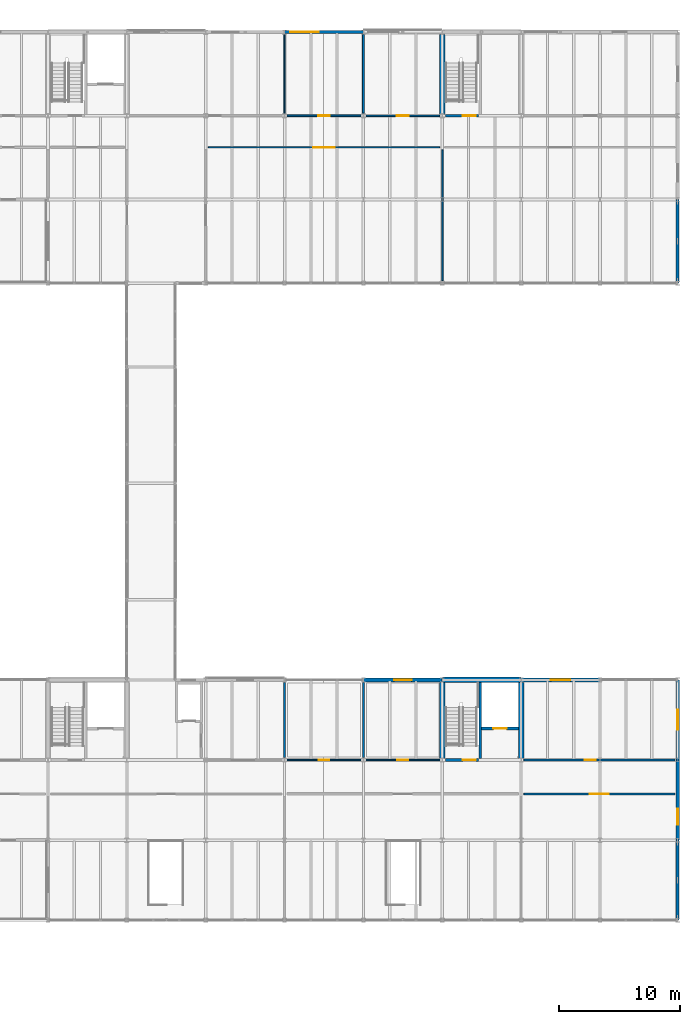
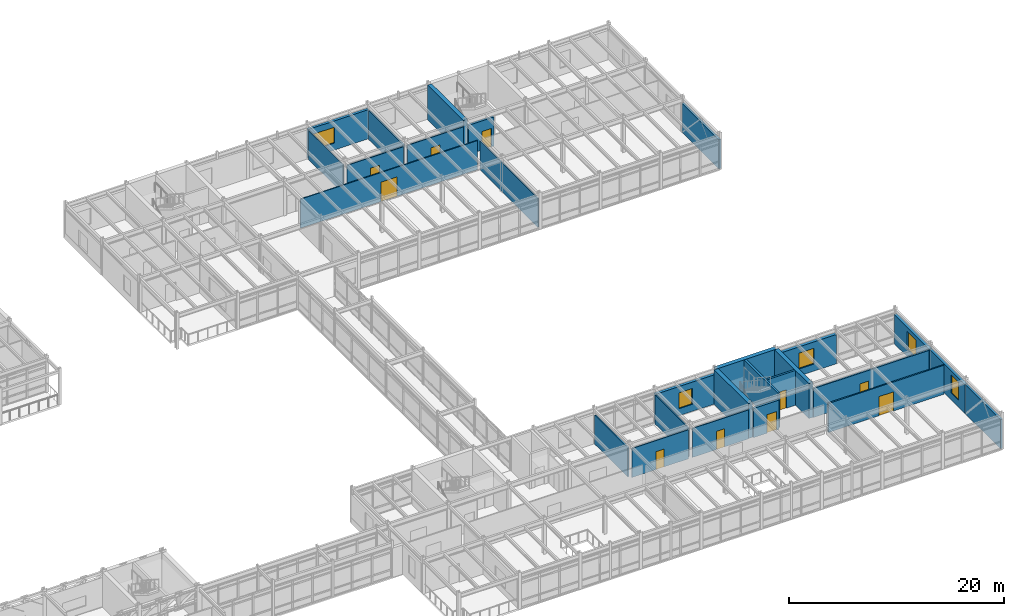
# One storey, part 136 of 144: 27 walls, 10 doors, 5 windows, 15 openings.
"""IFC4 building model written with IfcOpenShell, lengths in metres."""

from ifc_helpers import new_model, si_unit, direction, frame, frame_2d, origin, place, context, subcontext, project, spatial, rectangle, extrude, material, layer, layer_set, type_object, element, fill, save


model = new_model("IFC4")

# Units and contexts
model_context = context("Model", 3, precision=1e-05, world=origin(), true_north=direction((0.0, 1.0)))
body_context = subcontext(model_context, "Body", "Model", "MODEL_VIEW")
ifc_project = project(units=[si_unit("LENGTHUNIT", "METRE"), si_unit("AREAUNIT", "SQUARE_METRE"), si_unit("VOLUMEUNIT", "CUBIC_METRE"), si_unit("PLANEANGLEUNIT", "RADIAN"), si_unit("MASSUNIT", "GRAM", prefix="KILO")], contexts=[model_context])

# Site, building, storey
site_placement = place(None, origin())
site = spatial("IfcSite", under=ifc_project, at=site_placement, CompositionType="ELEMENT")
building_placement = place(site_placement, origin())
building = spatial("IfcBuilding", under=site, at=building_placement, Name="Trelmorton Wharf Fire Station", CompositionType="ELEMENT")
storey_placement = place(building_placement, frame((0.0, 0.0, 5.39990234375)))
storey = spatial("IfcBuildingStorey", under=building, at=storey_placement, Name="L01", CompositionType="ELEMENT", Elevation=5.39990234375)

# Walls
ifc_material_1 = material(Name="Precast concrete 45 MPa", Category="concrete")
ifc_layer_1 = layer(ifc_material_1, 0.22998046875)
ifc_layer_set_1 = layer_set([ifc_layer_1], Name="Precast concrete 45 MPa")
wall_type_1 = type_object("IfcWallType", Name="EW_PREC_230", PredefinedType="SOLIDWALL", material=ifc_layer_set_1)
wall_1_placement = place(storey_placement, frame((162.39990234375, 14.39501953125, 0.0), z_axis=(0.0, 0.0, 1.0), x_axis=(0.0, -1.0, 0.0)))
element("IfcWall", 1, at=wall_1_placement, inside=storey, type_object=wall_type_1, Name="EW-V5-L01-0084", PredefinedType="SOLIDWALL", context=body_context, shape_type="SweptSolid", body=[
    extrude(rectangle(XDim=6.590087890625, YDim=0.22998046875, at=frame_2d((3.294921875, 0.0))), origin(), (0.0, 0.0, 1.0), 3.320068359375),
])
wall_2_placement = place(storey_placement, frame((162.39990234375, 67.195068359375, 0.0), z_axis=(0.0, 0.0, 1.0), x_axis=(0.0, -1.0, 0.0)))
element("IfcWall", 2, at=wall_2_placement, inside=storey, type_object=wall_type_1, Name="EW-V4-L01-0222", PredefinedType="SOLIDWALL", context=body_context, shape_type="SweptSolid", body=[
    extrude(rectangle(XDim=6.89013671875, YDim=0.22998046875, at=frame_2d((3.445068359375, 0.0))), origin(), (0.0, 0.0, 1.0), 3.320068359375),
])

# Wall, opening, window
ifc_layer_2 = layer(ifc_material_1, 0.27001953125)
ifc_layer_set_2 = layer_set([ifc_layer_2], Name="Precast concrete 45 MPa")
wall_type_2 = type_object("IfcWallType", Name="EW_PREC_270", PredefinedType="SOLIDWALL", material=ifc_layer_set_2)
wall_3_placement = place(storey_placement, frame((162.39990234375, 20.9951171875, 0.0), z_axis=(0.0, 0.0, 1.0), x_axis=(0.0, -1.0, 0.0)))
wall_3 = element("IfcWall", 3, at=wall_3_placement, inside=storey, type_object=wall_type_2, Name="EW-V5-L01-0086", PredefinedType="SOLIDWALL", context=body_context, shape_type="SweptSolid", body=[
    extrude(rectangle(XDim=6.590087890625, YDim=0.27001953125, at=frame_2d((3.294921875, 0.0))), origin(), (0.0, 0.0, 1.0), 3.320068359375),
])
opening_1_placement = place(wall_3_placement, frame((4.00244140625, 0.0, 0.800048828125)))
opening_1 = element("IfcOpeningElement", 4, at=opening_1_placement, cuts=wall_3, Name="Opening W22", PredefinedType="OPENING", context=body_context, shape_type="SweptSolid", body=[
    extrude(rectangle(XDim=1.35009765625, YDim=2.050048828125, at=frame_2d((0.675048828125, 1.02490234375))), frame((0.0, 0.14501953125, 0.0), z_axis=(0.0, -1.0, 0.0), x_axis=(1.0, 0.0, 0.0)), (0.0, 0.0, 1.0), 0.2900390625),
])
ifc_material_2 = material(Name="Tempered low-E double glazing", Category="glass")
window_type_1 = type_object("IfcWindowType", Name="WIN_W22", PartitioningType="SINGLE_PANEL", PredefinedType="WINDOW", material=ifc_material_2)
window_1_placement = place(opening_1_placement, origin())
window_1 = element("IfcWindow", 5, at=window_1_placement, inside=storey, type_object=window_type_1, Name="WN-V5-L01-0037", OverallHeight=2.050048828125, OverallWidth=1.35009765625, PartitioningType="SINGLE_PANEL", PredefinedType="WINDOW", context=body_context, shape_type="SweptSolid", body=[
    extrude(rectangle(XDim=1.35009765625, YDim=2.050048828125, at=frame_2d((0.675048828125, 1.02490234375))), frame((0.0, 0.030029296875, 0.0), z_axis=(0.0, -1.0, 0.0), x_axis=(1.0, 0.0, 0.0)), (0.0, 0.0, 1.0), 0.06005859375),
])
fill(opening_1, window_1)

wall_4_placement = place(storey_placement, frame((130.0048828125, 81.0, 0.0), z_axis=(0.0, 0.0, 1.0), x_axis=(1.0, 0.0, 0.0)))
wall_4 = element("IfcWall", 6, at=wall_4_placement, inside=storey, type_object=wall_type_2, Name="EW-V4-L01-0218", PredefinedType="SOLIDWALL", context=body_context, shape_type="SweptSolid", body=[
    extrude(rectangle(XDim=6.490234375, YDim=0.27001953125, at=frame_2d((3.2451171875, 0.0))), origin(), (0.0, 0.0, 1.0), 3.320068359375),
])
opening_2_placement = place(wall_4_placement, frame((0.46240234375, 0.0, 0.800048828125)))
opening_2 = element("IfcOpeningElement", 7, at=opening_2_placement, cuts=wall_4, Name="Opening W13", PredefinedType="OPENING", context=body_context, shape_type="SweptSolid", body=[
    extrude(rectangle(XDim=2.35009765625, YDim=1.800048828125, at=frame_2d((1.175048828125, 0.89990234375))), frame((0.0, 0.14501953125, 0.0), z_axis=(0.0, -1.0, 0.0), x_axis=(1.0, 0.0, 0.0)), (0.0, 0.0, 1.0), 0.2900390625),
])
window_type_2 = type_object("IfcWindowType", Name="WIN_W13", PartitioningType="DOUBLE_PANEL_VERTICAL", PredefinedType="WINDOW", material=ifc_material_2)
window_2_placement = place(opening_2_placement, origin())
window_2 = element("IfcWindow", 8, at=window_2_placement, inside=storey, type_object=window_type_2, Name="WN-V4-L01-0121", OverallHeight=1.800048828125, OverallWidth=2.35009765625, PartitioningType="DOUBLE_PANEL_VERTICAL", PredefinedType="WINDOW", context=body_context, shape_type="SweptSolid", body=[
    extrude(rectangle(XDim=2.35009765625, YDim=1.800048828125, at=frame_2d((1.175048828125, 0.89990234375))), frame((0.0, 0.030029296875, 0.0), z_axis=(0.0, -1.0, 0.0), x_axis=(1.0, 0.0, 0.0)), (0.0, 0.0, 1.0), 0.06005859375),
])
fill(opening_2, window_2)

ifc_layer_3 = layer(ifc_material_1, 0.31005859375)
ifc_layer_set_3 = layer_set([ifc_layer_3], Name="Precast concrete 45 MPa")
wall_type_3 = type_object("IfcWallType", Name="EW_TERR_310", PredefinedType="SOLIDWALL", material=ifc_layer_set_3)
wall_5_placement = place(storey_placement, frame((136.5048828125, 27.60009765625, 0.0), z_axis=(0.0, 0.0, 1.0), x_axis=(1.0, 0.0, 0.0)))
wall_5 = element("IfcWall", 9, at=wall_5_placement, inside=storey, type_object=wall_type_3, Name="EW-V5-L01-0082", PredefinedType="SOLIDWALL", context=body_context, shape_type="SweptSolid", body=[
    extrude(rectangle(XDim=6.490234375, YDim=0.31005859375, at=frame_2d((3.2451171875, 0.0))), origin(), (0.0, 0.0, 1.0), 3.320068359375),
])
opening_3_placement = place(wall_5_placement, frame((2.52001953125, 0.0, 0.800048828125)))
opening_3 = element("IfcOpeningElement", 10, at=opening_3_placement, cuts=wall_5, Name="Opening W19", PredefinedType="OPENING", context=body_context, shape_type="SweptSolid", body=[
    extrude(rectangle(XDim=1.449951171875, YDim=1.800048828125, at=frame_2d((0.72509765625, 0.89990234375))), frame((0.0, 0.1650390625, 0.0), z_axis=(0.0, -1.0, 0.0), x_axis=(1.0, 0.0, 0.0)), (0.0, 0.0, 1.0), 0.330078125),
])
window_type_3 = type_object("IfcWindowType", Name="WIN_W19", PartitioningType="SINGLE_PANEL", PredefinedType="WINDOW", material=ifc_material_2)
window_3_placement = place(opening_3_placement, origin())
window_3 = element("IfcWindow", 11, at=window_3_placement, inside=storey, type_object=window_type_3, Name="WN-V5-L01-0034", OverallHeight=1.800048828125, OverallWidth=1.449951171875, PartitioningType="SINGLE_PANEL", PredefinedType="WINDOW", context=body_context, shape_type="SweptSolid", body=[
    extrude(rectangle(XDim=1.449951171875, YDim=1.800048828125, at=frame_2d((0.72509765625, 0.89990234375))), frame((0.0, 0.030029296875, 0.0), z_axis=(0.0, -1.0, 0.0), x_axis=(1.0, 0.0, 0.0)), (0.0, 0.0, 1.0), 0.06005859375),
])
fill(opening_3, window_3)

wall_6_placement = place(storey_placement, frame((162.39990234375, 27.594970703125, 0.0), z_axis=(0.0, 0.0, 1.0), x_axis=(0.0, -1.0, 0.0)))
wall_6 = element("IfcWall", 12, at=wall_6_placement, inside=storey, type_object=wall_type_3, Name="EW-V5-L01-0088", PredefinedType="SOLIDWALL", context=body_context, shape_type="SweptSolid", body=[
    extrude(rectangle(XDim=6.590087890625, YDim=0.31005859375, at=frame_2d((3.294921875, 0.0))), origin(), (0.0, 0.0, 1.0), 3.320068359375),
])
opening_4_placement = place(wall_6_placement, frame((2.469970703125, 0.0, 0.800048828125)))
opening_4 = element("IfcOpeningElement", 13, at=opening_4_placement, cuts=wall_6, Name="Opening W24", PredefinedType="OPENING", context=body_context, shape_type="SweptSolid", body=[
    extrude(rectangle(XDim=1.64990234375, YDim=2.050048828125, at=frame_2d((0.824951171875, 1.02490234375))), frame((0.0, 0.1650390625, 0.0), z_axis=(0.0, -1.0, 0.0), x_axis=(1.0, 0.0, 0.0)), (0.0, 0.0, 1.0), 0.330078125),
])
window_type_4 = type_object("IfcWindowType", Name="WIN_W24", PartitioningType="DOUBLE_PANEL_VERTICAL", PredefinedType="WINDOW", material=ifc_material_2)
window_4_placement = place(opening_4_placement, origin())
window_4 = element("IfcWindow", 14, at=window_4_placement, inside=storey, type_object=window_type_4, Name="WN-V5-L01-0039", OverallHeight=2.050048828125, OverallWidth=1.64990234375, PartitioningType="DOUBLE_PANEL_VERTICAL", PredefinedType="WINDOW", context=body_context, shape_type="SweptSolid", body=[
    extrude(rectangle(XDim=1.64990234375, YDim=2.050048828125, at=frame_2d((0.824951171875, 1.02490234375))), frame((0.0, 0.030029296875, 0.0), z_axis=(0.0, -1.0, 0.0), x_axis=(1.0, 0.0, 0.0)), (0.0, 0.0, 1.0), 0.06005859375),
])
fill(opening_4, window_4)

ifc_layer_4 = layer(ifc_material_1, 0.330078125)
ifc_layer_set_4 = layer_set([ifc_layer_4], Name="Precast concrete 45 MPa")
wall_type_4 = type_object("IfcWallType", Name="EW_TERR_330", PredefinedType="SOLIDWALL", material=ifc_layer_set_4)
wall_7_placement = place(storey_placement, frame((149.5048828125, 27.60009765625, 0.0), z_axis=(0.0, 0.0, 1.0), x_axis=(1.0, 0.0, 0.0)))
wall_7 = element("IfcWall", 15, at=wall_7_placement, inside=storey, type_object=wall_type_4, Name="EW-V5-L01-0083", PredefinedType="SOLIDWALL", context=body_context, shape_type="SweptSolid", body=[
    extrude(rectangle(XDim=6.490234375, YDim=0.330078125, at=frame_2d((3.2451171875, 0.0))), origin(), (0.0, 0.0, 1.0), 3.320068359375),
])
opening_5_placement = place(wall_7_placement, frame((2.445068359375, 0.0, 0.800048828125)))
opening_5 = element("IfcOpeningElement", 16, at=opening_5_placement, cuts=wall_7, Name="Opening W20", PredefinedType="OPENING", context=body_context, shape_type="SweptSolid", body=[
    extrude(rectangle(XDim=1.60009765625, YDim=1.800048828125, at=frame_2d((0.800048828125, 0.89990234375))), frame((0.0, 0.175048828125, 0.0), z_axis=(0.0, -1.0, 0.0), x_axis=(1.0, 0.0, 0.0)), (0.0, 0.0, 1.0), 0.35009765625),
])
window_type_5 = type_object("IfcWindowType", Name="WIN_W20", PartitioningType="DOUBLE_PANEL_VERTICAL", PredefinedType="WINDOW", material=ifc_material_2)
window_5_placement = place(opening_5_placement, origin())
window_5 = element("IfcWindow", 17, at=window_5_placement, inside=storey, type_object=window_type_5, Name="WN-V5-L01-0035", OverallHeight=1.800048828125, OverallWidth=1.60009765625, PartitioningType="DOUBLE_PANEL_VERTICAL", PredefinedType="WINDOW", context=body_context, shape_type="SweptSolid", body=[
    extrude(rectangle(XDim=1.60009765625, YDim=1.800048828125, at=frame_2d((0.800048828125, 0.89990234375))), frame((0.0, 0.030029296875, 0.0), z_axis=(0.0, -1.0, 0.0), x_axis=(1.0, 0.0, 0.0)), (0.0, 0.0, 1.0), 0.06005859375),
])
fill(opening_5, window_5)

# Wall, opening, door
ifc_material_3 = material(Name="Gypsum plasterboard partition")
ifc_layer_5 = layer(ifc_material_3, 0.14990234375)
ifc_layer_set_5 = layer_set([ifc_layer_5], Name="Gypsum plasterboard partition")
wall_type_5 = type_object("IfcWallType", Name="IW_ACOU_150", PredefinedType="PARTITIONING", material=ifc_layer_set_5)
wall_8_placement = place(storey_placement, frame((149.719970703125, 18.199951171875, 0.0), z_axis=(0.0, 0.0, 1.0), x_axis=(1.0, 0.0, 0.0)))
wall_8 = element("IfcWall", 18, at=wall_8_placement, inside=storey, type_object=wall_type_5, Name="IW-L01-0086", PredefinedType="PARTITIONING", context=body_context, shape_type="SweptSolid", body=[
    extrude(rectangle(XDim=12.4599609375, YDim=0.14990234375, at=frame_2d((6.22998046875, 0.0))), origin(), (0.0, 0.0, 1.0), 3.300048828125),
])
opening_6_placement = place(wall_8_placement, frame((5.449951171875, 0.0, 0.0)))
opening_6 = element("IfcOpeningElement", 19, at=opening_6_placement, cuts=wall_8, Name="Opening D-057", PredefinedType="OPENING", context=body_context, shape_type="SweptSolid", body=[
    extrude(rectangle(XDim=1.56005859375, YDim=2.179931640625, at=frame_2d((0.780029296875, 1.08984375))), frame((0.0, 0.0849609375, 0.0), z_axis=(0.0, -1.0, 0.0), x_axis=(1.0, 0.0, 0.0)), (0.0, 0.0, 1.0), 0.169921875),
])
ifc_material_4 = material(Name="Acoustic timber panelling", Category="wood")
door_type_1 = type_object("IfcDoorType", Name="DR_INT_156", OperationType="DOUBLE_DOOR_SINGLE_SWING", PredefinedType="DOOR", material=ifc_material_4)
door_1_placement = place(opening_6_placement, origin())
door_1 = element("IfcDoor", 20, at=door_1_placement, inside=storey, type_object=door_type_1, Name="Interior Door D-057", OperationType="DOUBLE_DOOR_SINGLE_SWING", OverallHeight=2.179931640625, OverallWidth=1.56005859375, PredefinedType="DOOR", context=body_context, shape_type="SweptSolid", body=[
    extrude(rectangle(XDim=1.56005859375, YDim=2.179931640625, at=frame_2d((0.780029296875, 1.08984375))), frame((0.0, 0.02490234375, 0.0), z_axis=(0.0, -1.0, 0.0), x_axis=(1.0, 0.0, 0.0)), (0.0, 0.0, 1.0), 0.050048828125),
])
fill(opening_6, door_1)

# Wall
wall_9_placement = place(storey_placement, frame((130.0, 21.219970703125, 0.0), z_axis=(0.0, 0.0, 1.0), x_axis=(0.0, 1.0, 0.0)))
element("IfcWall", 21, at=wall_9_placement, inside=storey, type_object=wall_type_5, Name="IW-L01-0093", PredefinedType="PARTITIONING", context=body_context, shape_type="SweptSolid", body=[
    extrude(rectangle(XDim=6.159912109375, YDim=0.14990234375, at=frame_2d((3.080078125, 0.0))), origin(), (0.0, 0.0, 1.0), 3.300048828125),
])

# Wall, opening, door
ifc_layer_6 = layer(ifc_material_3, 0.159912109375)
ifc_layer_set_6 = layer_set([ifc_layer_6], Name="Gypsum plasterboard partition")
wall_type_6 = type_object("IfcWallType", Name="IW_ACOU_160", PredefinedType="PARTITIONING", material=ifc_layer_set_6)
wall_10_placement = place(storey_placement, frame((149.719970703125, 21.0, 0.0), z_axis=(0.0, 0.0, 1.0), x_axis=(1.0, 0.0, 0.0)))
wall_10 = element("IfcWall", 22, at=wall_10_placement, inside=storey, type_object=wall_type_6, Name="IW-L01-0092", PredefinedType="PARTITIONING", context=body_context, shape_type="SweptSolid", body=[
    extrude(rectangle(XDim=12.4599609375, YDim=0.159912109375, at=frame_2d((6.22998046875, 0.0))), origin(), (0.0, 0.0, 1.0), 3.300048828125),
])
opening_7_placement = place(wall_10_placement, frame((5.010009765625, 0.0, 0.0)))
opening_7 = element("IfcOpeningElement", 23, at=opening_7_placement, cuts=wall_10, Name="Opening D-063", PredefinedType="OPENING", context=body_context, shape_type="SweptSolid", body=[
    extrude(rectangle(XDim=0.93994140625, YDim=2.080078125, at=frame_2d((0.469970703125, 1.0400390625))), frame((0.0, 0.08984375, 0.0), z_axis=(0.0, -1.0, 0.0), x_axis=(1.0, 0.0, 0.0)), (0.0, 0.0, 1.0), 0.179931640625),
])
door_type_2 = type_object("IfcDoorType", Name="DR_INT_094", OperationType="NOTDEFINED", PredefinedType="DOOR", material=ifc_material_4)
door_2_placement = place(opening_7_placement, origin())
door_2 = element("IfcDoor", 24, at=door_2_placement, inside=storey, type_object=door_type_2, Name="Interior Door D-063", OperationType="SINGLE_SWING_LEFT", OverallHeight=2.080078125, OverallWidth=0.93994140625, PredefinedType="DOOR", context=body_context, shape_type="SweptSolid", body=[
    extrude(rectangle(XDim=0.93994140625, YDim=2.080078125, at=frame_2d((0.469970703125, 1.0400390625))), frame((0.0, 0.02490234375, 0.0), z_axis=(0.0, -1.0, 0.0), x_axis=(1.0, 0.0, 0.0)), (0.0, 0.0, 1.0), 0.050048828125),
])
fill(opening_7, door_2)

# Walls
wall_11_placement = place(storey_placement, frame((136.5, 74.320068359375, 0.0), z_axis=(0.0, 0.0, 1.0), x_axis=(0.0, 1.0, 0.0)))
element("IfcWall", 25, at=wall_11_placement, inside=storey, type_object=wall_type_6, Name="IW-L01-0127", PredefinedType="PARTITIONING", context=body_context, shape_type="SweptSolid", body=[
    extrude(rectangle(XDim=6.4599609375, YDim=0.159912109375, at=frame_2d((3.22998046875, 0.0))), origin(), (0.0, 0.0, 1.0), 3.300048828125),
])
ifc_material_5 = material(Name="Concrete 40 MPa", Category="concrete")
ifc_layer_7 = layer(ifc_material_5, 0.219970703125)
ifc_layer_set_7 = layer_set([ifc_layer_7], Name="Concrete 40 MPa")
wall_type_7 = type_object("IfcWallType", Name="IW_CORE_220", PredefinedType="SOLIDWALL", material=ifc_layer_set_7)
wall_12_placement = place(storey_placement, frame((146.1201171875, 21.1201171875, 0.0), z_axis=(0.0, 0.0, 1.0), x_axis=(0.0, 1.0, 0.0)))
element("IfcWall", 26, at=wall_12_placement, inside=storey, type_object=wall_type_7, Name="IW-C4-DIV-L01", PredefinedType="SOLIDWALL", context=body_context, shape_type="SweptSolid", body=[
    extrude(rectangle(XDim=6.2548828125, YDim=0.219970703125, at=frame_2d((3.12744140625, 0.0))), origin(), (0.0, 0.0, 1.0), 3.960205078125),
])

# Wall, opening, door
wall_13_placement = place(storey_placement, frame((143.260009765625, 21.0, 0.0), z_axis=(0.0, 0.0, 1.0), x_axis=(1.0, 0.0, 0.0)))
wall_13 = element("IfcWall", 27, at=wall_13_placement, inside=storey, type_object=wall_type_7, Name="IW-C4-SF-L01", PredefinedType="SOLIDWALL", context=body_context, shape_type="SweptSolid", body=[
    extrude(rectangle(XDim=2.739990234375, YDim=0.219970703125, at=frame_2d((1.3701171875, 0.0))), origin(), (0.0, 0.0, 1.0), 3.320068359375),
])
opening_8_placement = place(wall_13_placement, frame((1.43994140625, 0.0, 0.0)))
opening_8 = element("IfcOpeningElement", 28, at=opening_8_placement, cuts=wall_13, Name="Opening FD-018", PredefinedType="OPENING", context=body_context, shape_type="SweptSolid", body=[
    extrude(rectangle(XDim=1.06005859375, YDim=2.10009765625, at=frame_2d((0.530029296875, 1.050048828125))), frame((0.0, 0.1201171875, 0.0), z_axis=(0.0, -1.0, 0.0), x_axis=(1.0, 0.0, 0.0)), (0.0, 0.0, 1.0), 0.239990234375),
])
ifc_material_6 = material(Name="Stainless steel 316 marine grade", Category="steel")
door_type_3 = type_object("IfcDoorType", Name="DR_FIRE_106", OperationType="NOTDEFINED", PredefinedType="DOOR", material=ifc_material_6)
door_3_placement = place(opening_8_placement, origin())
door_3 = element("IfcDoor", 29, at=door_3_placement, inside=storey, type_object=door_type_3, Name="Stair Fire Door FD-018", OperationType="SINGLE_SWING_RIGHT", OverallHeight=2.10009765625, OverallWidth=1.06005859375, PredefinedType="DOOR", context=body_context, shape_type="SweptSolid", body=[
    extrude(rectangle(XDim=1.06005859375, YDim=2.10009765625, at=frame_2d((0.530029296875, 1.050048828125))), frame((0.0, 0.02490234375, 0.0), z_axis=(0.0, -1.0, 0.0), x_axis=(1.0, 0.0, 0.0)), (0.0, 0.0, 1.0), 0.050048828125),
])
fill(opening_8, door_3)

wall_14_placement = place(storey_placement, frame((146.239990234375, 23.60009765625, 0.0), z_axis=(0.0, 0.0, 1.0), x_axis=(1.0, 0.0, 0.0)))
wall_14 = element("IfcWall", 30, at=wall_14_placement, inside=storey, type_object=wall_type_7, Name="IW-C4-LSH-L01", PredefinedType="SOLIDWALL", context=body_context, shape_type="SweptSolid", body=[
    extrude(rectangle(XDim=3.034912109375, YDim=0.219970703125, at=frame_2d((1.517578125, 0.0))), origin(), (0.0, 0.0, 1.0), 3.960205078125),
])
opening_9_placement = place(wall_14_placement, frame((0.967529296875, 0.0, 0.0)))
opening_9 = element("IfcOpeningElement", 31, at=opening_9_placement, cuts=wall_14, Name="Opening LD-018", PredefinedType="OPENING", context=body_context, shape_type="SweptSolid", body=[
    extrude(rectangle(XDim=1.10009765625, YDim=2.10009765625, at=frame_2d((0.550048828125, 1.050048828125))), frame((0.0, 0.1201171875, 0.0), z_axis=(0.0, -1.0, 0.0), x_axis=(1.0, 0.0, 0.0)), (0.0, 0.0, 1.0), 0.239990234375),
])
door_type_4 = type_object("IfcDoorType", Name="DR_LIFT_110", OperationType="DOUBLE_DOOR_SLIDING", PredefinedType="DOOR", material=ifc_material_6)
door_4_placement = place(opening_9_placement, origin())
door_4 = element("IfcDoor", 32, at=door_4_placement, inside=storey, type_object=door_type_4, Name="Lift Landing Door LD-018", OperationType="DOUBLE_DOOR_SLIDING", OverallHeight=2.10009765625, OverallWidth=1.10009765625, PredefinedType="DOOR", context=body_context, shape_type="SweptSolid", body=[
    extrude(rectangle(XDim=1.10009765625, YDim=2.10009765625, at=frame_2d((0.550048828125, 1.050048828125))), frame((0.0, 0.02490234375, 0.0), z_axis=(0.0, -1.0, 0.0), x_axis=(1.0, 0.0, 0.0)), (0.0, 0.0, 1.0), 0.050048828125),
])
fill(opening_9, door_4)

wall_15_placement = place(storey_placement, frame((143.260009765625, 74.10009765625, 0.0), z_axis=(0.0, 0.0, 1.0), x_axis=(1.0, 0.0, 0.0)))
wall_15 = element("IfcWall", 33, at=wall_15_placement, inside=storey, type_object=wall_type_7, Name="IW-C8-SF-L01", PredefinedType="SOLIDWALL", context=body_context, shape_type="SweptSolid", body=[
    extrude(rectangle(XDim=2.739990234375, YDim=0.219970703125, at=frame_2d((1.3701171875, 0.0))), origin(), (0.0, 0.0, 1.0), 3.320068359375),
])
opening_10_placement = place(wall_15_placement, frame((1.43994140625, 0.0, 0.0)))
opening_10 = element("IfcOpeningElement", 34, at=opening_10_placement, cuts=wall_15, Name="Opening FD-048", PredefinedType="OPENING", context=body_context, shape_type="SweptSolid", body=[
    extrude(rectangle(XDim=1.06005859375, YDim=2.10009765625, at=frame_2d((0.530029296875, 1.050048828125))), frame((0.0, 0.1201171875, 0.0), z_axis=(0.0, -1.0, 0.0), x_axis=(1.0, 0.0, 0.0)), (0.0, 0.0, 1.0), 0.239990234375),
])
door_5_placement = place(opening_10_placement, origin())
door_5 = element("IfcDoor", 35, at=door_5_placement, inside=storey, type_object=door_type_3, Name="Stair Fire Door FD-048", OperationType="SINGLE_SWING_RIGHT", OverallHeight=2.10009765625, OverallWidth=1.06005859375, PredefinedType="DOOR", context=body_context, shape_type="SweptSolid", body=[
    extrude(rectangle(XDim=1.06005859375, YDim=2.10009765625, at=frame_2d((0.530029296875, 1.050048828125))), frame((0.0, 0.02490234375, 0.0), z_axis=(0.0, -1.0, 0.0), x_axis=(1.0, 0.0, 0.0)), (0.0, 0.0, 1.0), 0.050048828125),
])
fill(opening_10, door_5)

ifc_layer_8 = layer(ifc_material_3, 0.10009765625)
ifc_layer_set_8 = layer_set([ifc_layer_8], Name="Gypsum plasterboard partition")
wall_type_8 = type_object("IfcWallType", Name="IW_PART_100", PredefinedType="PARTITIONING", material=ifc_layer_set_8)
wall_16_placement = place(storey_placement, frame((136.719970703125, 21.0, 0.0), z_axis=(0.0, 0.0, 1.0), x_axis=(1.0, 0.0, 0.0)))
wall_16 = element("IfcWall", 36, at=wall_16_placement, inside=storey, type_object=wall_type_8, Name="IW-L01-0091", PredefinedType="PARTITIONING", context=body_context, shape_type="SweptSolid", body=[
    extrude(rectangle(XDim=6.06005859375, YDim=0.10009765625, at=frame_2d((3.030029296875, 0.0))), origin(), (0.0, 0.0, 1.0), 3.300048828125),
])
opening_11_placement = place(wall_16_placement, frame((2.574951171875, 0.0, 0.0)))
opening_11 = element("IfcOpeningElement", 37, at=opening_11_placement, cuts=wall_16, Name="Opening D-062", PredefinedType="OPENING", context=body_context, shape_type="SweptSolid", body=[
    extrude(rectangle(XDim=0.909912109375, YDim=2.06005859375, at=frame_2d((0.455078125, 1.030029296875))), frame((0.0, 0.06005859375, 0.0), z_axis=(0.0, -1.0, 0.0), x_axis=(1.0, 0.0, 0.0)), (0.0, 0.0, 1.0), 0.1201171875),
])
door_type_5 = type_object("IfcDoorType", Name="DR_INT_091", OperationType="NOTDEFINED", PredefinedType="DOOR", material=ifc_material_4)
door_6_placement = place(opening_11_placement, origin())
door_6 = element("IfcDoor", 38, at=door_6_placement, inside=storey, type_object=door_type_5, Name="Interior Door D-062", OperationType="SINGLE_SWING_RIGHT", OverallHeight=2.06005859375, OverallWidth=0.909912109375, PredefinedType="DOOR", context=body_context, shape_type="SweptSolid", body=[
    extrude(rectangle(XDim=0.909912109375, YDim=2.06005859375, at=frame_2d((0.455078125, 1.030029296875))), frame((0.0, 0.02490234375, 0.0), z_axis=(0.0, -1.0, 0.0), x_axis=(1.0, 0.0, 0.0)), (0.0, 0.0, 1.0), 0.050048828125),
])
fill(opening_11, door_6)

# Wall
wall_17_placement = place(storey_placement, frame((130.0, 74.320068359375, 0.0), z_axis=(0.0, 0.0, 1.0), x_axis=(0.0, 1.0, 0.0)))
element("IfcWall", 39, at=wall_17_placement, inside=storey, type_object=wall_type_8, Name="IW-L01-0126", PredefinedType="PARTITIONING", context=body_context, shape_type="SweptSolid", body=[
    extrude(rectangle(XDim=6.4599609375, YDim=0.10009765625, at=frame_2d((3.22998046875, 0.0))), origin(), (0.0, 0.0, 1.0), 3.300048828125),
])

# Wall, opening, door
ifc_layer_9 = layer(ifc_material_3, 0.110107421875)
ifc_layer_set_9 = layer_set([ifc_layer_9], Name="Gypsum plasterboard partition")
wall_type_9 = type_object("IfcWallType", Name="IW_PART_110", PredefinedType="PARTITIONING", material=ifc_layer_set_9)
wall_18_placement = place(storey_placement, frame((130.219970703125, 21.0, 0.0), z_axis=(0.0, 0.0, 1.0), x_axis=(1.0, 0.0, 0.0)))
wall_18 = element("IfcWall", 40, at=wall_18_placement, inside=storey, type_object=wall_type_9, Name="IW-L01-0090", PredefinedType="PARTITIONING", context=body_context, shape_type="SweptSolid", body=[
    extrude(rectangle(XDim=6.06005859375, YDim=0.110107421875, at=frame_2d((3.030029296875, 0.0))), origin(), (0.0, 0.0, 1.0), 3.300048828125),
])
opening_12_placement = place(wall_18_placement, frame((2.590087890625, 0.0, 0.0)))
opening_12 = element("IfcOpeningElement", 41, at=opening_12_placement, cuts=wall_18, Name="Opening D-061", PredefinedType="OPENING", context=body_context, shape_type="SweptSolid", body=[
    extrude(rectangle(XDim=0.8798828125, YDim=2.0400390625, at=frame_2d((0.43994140625, 1.02001953125))), frame((0.0, 0.06494140625, 0.0), z_axis=(0.0, -1.0, 0.0), x_axis=(1.0, 0.0, 0.0)), (0.0, 0.0, 1.0), 0.130126953125),
])
door_type_6 = type_object("IfcDoorType", Name="DR_INT_088", OperationType="NOTDEFINED", PredefinedType="DOOR", material=ifc_material_4)
door_7_placement = place(opening_12_placement, origin())
door_7 = element("IfcDoor", 42, at=door_7_placement, inside=storey, type_object=door_type_6, Name="Interior Door D-061", OperationType="SINGLE_SWING_LEFT", OverallHeight=2.0400390625, OverallWidth=0.8798828125, PredefinedType="DOOR", context=body_context, shape_type="SweptSolid", body=[
    extrude(rectangle(XDim=0.8798828125, YDim=2.0400390625, at=frame_2d((0.43994140625, 1.02001953125))), frame((0.0, 0.02490234375, 0.0), z_axis=(0.0, -1.0, 0.0), x_axis=(1.0, 0.0, 0.0)), (0.0, 0.0, 1.0), 0.050048828125),
])
fill(opening_12, door_7)

wall_19_placement = place(storey_placement, frame((123.719970703125, 71.5, 0.0), z_axis=(0.0, 0.0, 1.0), x_axis=(1.0, 0.0, 0.0)))
wall_19 = element("IfcWall", 43, at=wall_19_placement, inside=storey, type_object=wall_type_9, Name="IW-L01-0118", PredefinedType="PARTITIONING", context=body_context, shape_type="SweptSolid", body=[
    extrude(rectangle(XDim=19.06005859375, YDim=0.110107421875, at=frame_2d((9.530029296875, 0.0))), origin(), (0.0, 0.0, 1.0), 3.300048828125),
])
opening_13_placement = place(wall_19_placement, frame((8.659912109375, 0.0, 0.0)))
opening_13 = element("IfcOpeningElement", 44, at=opening_13_placement, cuts=wall_19, Name="Opening D-079", PredefinedType="OPENING", context=body_context, shape_type="SweptSolid", body=[
    extrude(rectangle(XDim=1.739990234375, YDim=2.199951171875, at=frame_2d((0.8701171875, 1.10009765625))), frame((0.0, 0.06494140625, 0.0), z_axis=(0.0, -1.0, 0.0), x_axis=(1.0, 0.0, 0.0)), (0.0, 0.0, 1.0), 0.130126953125),
])
door_type_7 = type_object("IfcDoorType", Name="DR_INT_174", OperationType="DOUBLE_DOOR_SINGLE_SWING", PredefinedType="DOOR", material=ifc_material_4)
door_8_placement = place(opening_13_placement, origin())
door_8 = element("IfcDoor", 45, at=door_8_placement, inside=storey, type_object=door_type_7, Name="Interior Door D-079", OperationType="DOUBLE_DOOR_SINGLE_SWING", OverallHeight=2.199951171875, OverallWidth=1.739990234375, PredefinedType="DOOR", context=body_context, shape_type="SweptSolid", body=[
    extrude(rectangle(XDim=1.739990234375, YDim=2.199951171875, at=frame_2d((0.8701171875, 1.10009765625))), frame((0.0, 0.02490234375, 0.0), z_axis=(0.0, -1.0, 0.0), x_axis=(1.0, 0.0, 0.0)), (0.0, 0.0, 1.0), 0.050048828125),
])
fill(opening_13, door_8)

ifc_layer_10 = layer(ifc_material_3, 0.1298828125)
ifc_layer_set_10 = layer_set([ifc_layer_10], Name="Gypsum plasterboard partition")
wall_type_10 = type_object("IfcWallType", Name="IW_PART_130", PredefinedType="PARTITIONING", material=ifc_layer_set_10)
wall_20_placement = place(storey_placement, frame((130.219970703125, 74.10009765625, 0.0), z_axis=(0.0, 0.0, 1.0), x_axis=(1.0, 0.0, 0.0)))
wall_20 = element("IfcWall", 46, at=wall_20_placement, inside=storey, type_object=wall_type_10, Name="IW-L01-0123", PredefinedType="PARTITIONING", context=body_context, shape_type="SweptSolid", body=[
    extrude(rectangle(XDim=6.06005859375, YDim=0.1298828125, at=frame_2d((3.030029296875, 0.0))), origin(), (0.0, 0.0, 1.0), 3.300048828125),
])
opening_14_placement = place(wall_20_placement, frame((2.544921875, 0.0, 0.0)))
opening_14 = element("IfcOpeningElement", 47, at=opening_14_placement, cuts=wall_20, Name="Opening D-084", PredefinedType="OPENING", context=body_context, shape_type="SweptSolid", body=[
    extrude(rectangle(XDim=0.969970703125, YDim=2.10009765625, at=frame_2d((0.48486328125, 1.050048828125))), frame((0.0, 0.074951171875, 0.0), z_axis=(0.0, -1.0, 0.0), x_axis=(1.0, 0.0, 0.0)), (0.0, 0.0, 1.0), 0.14990234375),
])
door_type_8 = type_object("IfcDoorType", Name="DR_INT_097", OperationType="NOTDEFINED", PredefinedType="DOOR", material=ifc_material_4)
door_9_placement = place(opening_14_placement, origin())
door_9 = element("IfcDoor", 48, at=door_9_placement, inside=storey, type_object=door_type_8, Name="Interior Door D-084", OperationType="SINGLE_SWING_LEFT", OverallHeight=2.10009765625, OverallWidth=0.969970703125, PredefinedType="DOOR", context=body_context, shape_type="SweptSolid", body=[
    extrude(rectangle(XDim=0.969970703125, YDim=2.10009765625, at=frame_2d((0.48486328125, 1.050048828125))), frame((0.0, 0.02490234375, 0.0), z_axis=(0.0, -1.0, 0.0), x_axis=(1.0, 0.0, 0.0)), (0.0, 0.0, 1.0), 0.050048828125),
])
fill(opening_14, door_9)

# Walls
ifc_layer_11 = layer(ifc_material_3, 0.139892578125)
ifc_layer_set_11 = layer_set([ifc_layer_11], Name="Gypsum plasterboard partition")
wall_type_11 = type_object("IfcWallType", Name="IW_PART_140", PredefinedType="PARTITIONING", material=ifc_layer_set_11)
wall_21_placement = place(storey_placement, frame((136.5, 21.219970703125, 0.0), z_axis=(0.0, 0.0, 1.0), x_axis=(0.0, 1.0, 0.0)))
element("IfcWall", 49, at=wall_21_placement, inside=storey, type_object=wall_type_11, Name="IW-L01-0094", PredefinedType="PARTITIONING", context=body_context, shape_type="SweptSolid", body=[
    extrude(rectangle(XDim=6.159912109375, YDim=0.139892578125, at=frame_2d((3.080078125, 0.0))), origin(), (0.0, 0.0, 1.0), 3.300048828125),
])
ifc_layer_12 = layer(ifc_material_3, 0.1201171875)
ifc_layer_set_12 = layer_set([ifc_layer_12], Name="Gypsum plasterboard partition")
wall_type_12 = type_object("IfcWallType", Name="IW_WET_120", PredefinedType="PARTITIONING", material=ifc_layer_set_12)
wall_22_placement = place(storey_placement, frame((143.0, 60.52001953125, 0.0), z_axis=(0.0, 0.0, 1.0), x_axis=(0.0, 1.0, 0.0)))
element("IfcWall", 50, at=wall_22_placement, inside=storey, type_object=wall_type_12, Name="IW-L01-0117", PredefinedType="PARTITIONING", context=body_context, shape_type="SweptSolid", body=[
    extrude(rectangle(XDim=10.760009765625, YDim=0.1201171875, at=frame_2d((5.3798828125, 0.0))), origin(), (0.0, 0.0, 1.0), 3.300048828125),
])

# Wall, opening, door
wall_23_placement = place(storey_placement, frame((136.719970703125, 74.10009765625, 0.0), z_axis=(0.0, 0.0, 1.0), x_axis=(1.0, 0.0, 0.0)))
wall_23 = element("IfcWall", 51, at=wall_23_placement, inside=storey, type_object=wall_type_12, Name="IW-L01-0124", PredefinedType="PARTITIONING", context=body_context, shape_type="SweptSolid", body=[
    extrude(rectangle(XDim=6.06005859375, YDim=0.1201171875, at=frame_2d((3.030029296875, 0.0))), origin(), (0.0, 0.0, 1.0), 3.300048828125),
])
opening_15_placement = place(wall_23_placement, frame((2.530029296875, 0.0, 0.0)))
opening_15 = element("IfcOpeningElement", 52, at=opening_15_placement, cuts=wall_23, Name="Opening D-085", PredefinedType="OPENING", context=body_context, shape_type="SweptSolid", body=[
    extrude(rectangle(XDim=1.0, YDim=2.1201171875, at=frame_2d((0.5, 1.06005859375))), frame((0.0, 0.070068359375, 0.0), z_axis=(0.0, -1.0, 0.0), x_axis=(1.0, 0.0, 0.0)), (0.0, 0.0, 1.0), 0.14013671875),
])
door_type_9 = type_object("IfcDoorType", Name="DR_INT_100", OperationType="NOTDEFINED", PredefinedType="DOOR", material=ifc_material_4)
door_10_placement = place(opening_15_placement, origin())
door_10 = element("IfcDoor", 53, at=door_10_placement, inside=storey, type_object=door_type_9, Name="Interior Door D-085", OperationType="SINGLE_SWING_RIGHT", OverallHeight=2.1201171875, OverallWidth=1.0, PredefinedType="DOOR", context=body_context, shape_type="SweptSolid", body=[
    extrude(rectangle(XDim=1.0, YDim=2.1201171875, at=frame_2d((0.5, 1.06005859375))), frame((0.0, 0.02490234375, 0.0), z_axis=(0.0, -1.0, 0.0), x_axis=(1.0, 0.0, 0.0)), (0.0, 0.0, 1.0), 0.050048828125),
])
fill(opening_15, door_10)

# Walls
ifc_material_7 = material(Name="Concrete 50 MPa", Category="concrete")
ifc_layer_13 = layer(ifc_material_7, 0.43994140625)
ifc_layer_set_13 = layer_set([ifc_layer_13], Name="Concrete 50 MPa")
wall_type_13 = type_object("IfcWallType", Name="WL_CORE_440", PredefinedType="SHEAR", material=ifc_layer_set_13)
wall_24_placement = place(storey_placement, frame((143.0, 27.60009765625, 0.0), z_axis=(0.0, 0.0, 1.0), x_axis=(1.0, 0.0, 0.0)))
element("IfcWall", 54, at=wall_24_placement, inside=storey, type_object=wall_type_13, Name="WL-SW-C4-L01-052", PredefinedType="SHEAR", context=body_context, shape_type="SweptSolid", body=[
    extrude(rectangle(XDim=6.5, YDim=0.43994140625, at=frame_2d((3.25, 0.0))), origin(), (0.0, 0.0, 1.0), 3.960205078125),
])
for number, where, z_axis, x_axis, name in (
    (55, (143.0, 21.0, 0.0), (0.0, 0.0, 1.0), (0.0, 1.0, 0.0), "WL-SW-C4-L01-053"),
    (56, (149.5, 21.0, 0.0), (0.0, 0.0, 1.0), (0.0, 1.0, 0.0), "WL-SW-C4-L01-054"),
):
    element("IfcWall", number, at=place(storey_placement, frame(where, z_axis=z_axis, x_axis=x_axis)), inside=storey, type_object=wall_type_13, Name=name, PredefinedType="SHEAR", context=body_context, shape_type="SweptSolid", body=[
        extrude(rectangle(XDim=6.3798828125, YDim=0.43994140625, at=frame_2d((3.18994140625, 0.0))), origin(), (0.0, 0.0, 1.0), 3.960205078125),
    ])
wall_25_placement = place(storey_placement, frame((143.0, 74.10009765625, 0.0), z_axis=(0.0, 0.0, 1.0), x_axis=(0.0, 1.0, 0.0)))
element("IfcWall", 57, at=wall_25_placement, inside=storey, type_object=wall_type_13, Name="WL-SW-C8-L01-143", PredefinedType="SHEAR", context=body_context, shape_type="SweptSolid", body=[
    extrude(rectangle(XDim=6.679931640625, YDim=0.43994140625, at=frame_2d((3.33984375, 0.0))), origin(), (0.0, 0.0, 1.0), 3.960205078125),
])

save(model, "model.ifc")
